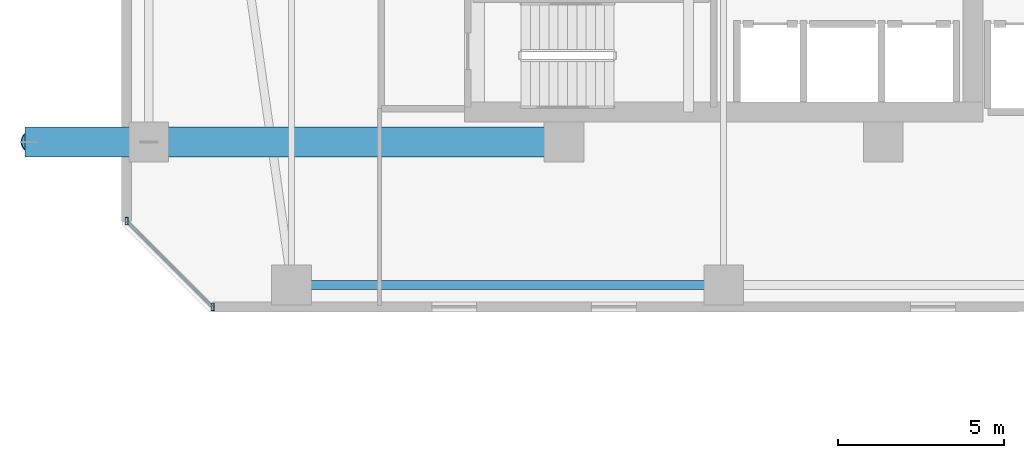
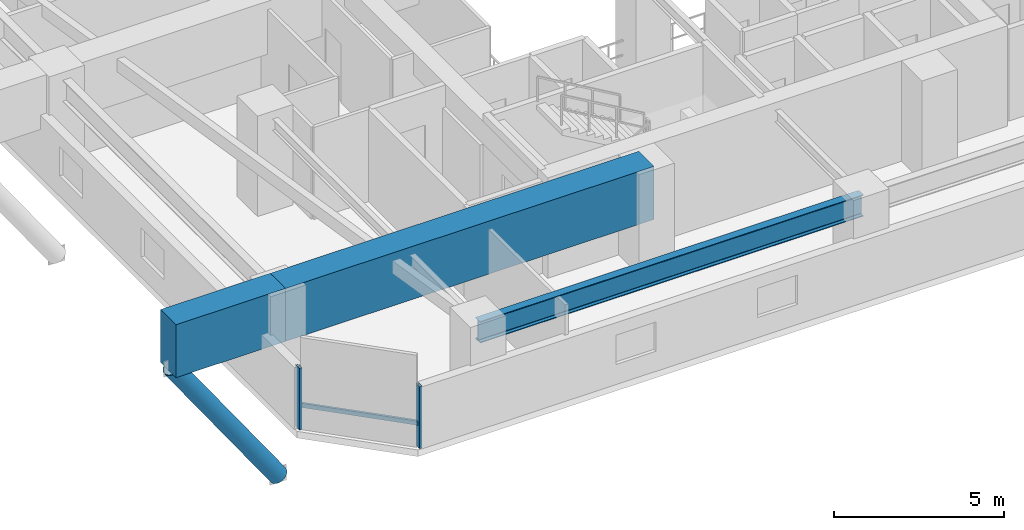
# One storey, part 3 of 36: 4 members, 3 beams, 1 element without a shape of its own.
"""IFC4 building model written with IfcOpenShell, lengths in metres."""

from ifc_helpers import new_model, si_unit, direction, frame, origin, origin_2d, place, context, subcontext, project, spatial, rectangle, hollow_rectangle, hollow_circle, i_section, extrude, material, material_profile, profile_set, type_object, element, aggregate, save


model = new_model("IFC4")

# Units and contexts
model_context = context("Model", 3, precision=1e-05, world=origin(), true_north=direction((0.0, 1.0)))
body_context = subcontext(model_context, "Body", "Model", "MODEL_VIEW")
ifc_project = project(units=[si_unit("LENGTHUNIT", "METRE"), si_unit("AREAUNIT", "SQUARE_METRE"), si_unit("VOLUMEUNIT", "CUBIC_METRE"), si_unit("PLANEANGLEUNIT", "RADIAN"), si_unit("MASSUNIT", "GRAM", prefix="KILO")], contexts=[model_context])

# Site, building, storey
site_placement = place(None, origin())
site = spatial("IfcSite", under=ifc_project, at=site_placement, CompositionType="ELEMENT")
building_placement = place(site_placement, origin())
building = spatial("IfcBuilding", under=site, at=building_placement, Name="Thornwick Lancets Civic Towers", CompositionType="ELEMENT")
storey_placement = place(building_placement, frame((0.0, 0.0, 94.5)))
storey = spatial("IfcBuildingStorey", under=building, at=storey_placement, Name="L24", CompositionType="ELEMENT", Elevation=94.5)

# Beams
ifc_material_1 = material(Name="Steel S355JR", Category="steel")
ifc_material_profile_1 = material_profile(ifc_material_1, i_section(OverallWidth=0.26806640625, OverallDepth=0.769775390625, WebThickness=0.015625, FlangeThickness=0.025390625, FilletRadius=0.0166015625, at=origin_2d()), Name="UKB 762x267x197")
ifc_profile_set_1 = profile_set([ifc_material_profile_1], Name="Steel S355JR")
beam_type_1 = type_object("IfcBeamType", Name="BM_GIRD_762_197", PredefinedType="BEAM", material=ifc_profile_set_1)
beam_1_placement = place(storey_placement, frame((12.5, 9.699951171875, 2.93505859375), z_axis=(1.0, 0.0, 0.0), x_axis=(0.0, 1.0, 0.0)))
element("IfcBeam", 1, at=beam_1_placement, inside=storey, type_object=beam_type_1, Name="BM-SPINE-L24-A-0-1", PredefinedType="BEAM", context=body_context, shape_type="SweptSolid", body=[
    extrude(i_section(OverallWidth=0.26806640625, OverallDepth=0.769775390625, WebThickness=0.015625, FlangeThickness=0.025390625, FilletRadius=0.0166015625, at=origin_2d()), origin(), (0.0, 0.0, 1.0), 13.0),
])
ifc_material_2 = material(Name="Concrete C60/75", Category="concrete")
ifc_material_profile_2 = material_profile(ifc_material_2, rectangle(XDim=0.89990234375, YDim=1.89990234375, at=origin_2d()), Name="RC 900x1900")
ifc_profile_set_2 = profile_set([ifc_material_profile_2], Name="Concrete C60/75")
beam_type_2 = type_object("IfcBeamType", Name="BM_TR_RC1900", PredefinedType="BEAM", material=ifc_profile_set_2)
beam_2_placement = place(storey_placement, frame((20.699951171875, 14.0, 2.64990234375), z_axis=(-1.0, 0.0, 0.0), x_axis=(0.0, -1.0, 0.0)))
element("IfcBeam", 2, at=beam_2_placement, inside=storey, type_object=beam_type_2, Name="TG-BACK-L25-A10", PredefinedType="BEAM", context=body_context, shape_type="SweptSolid", body=[
    extrude(rectangle(XDim=0.89990234375, YDim=1.89990234375, at=origin_2d()), origin(), (0.0, 0.0, 1.0), 12.5),
])
beam_3_placement = place(storey_placement, frame((8.199951171875, 14.0, 2.64990234375), z_axis=(-1.0, 0.0, 0.0), x_axis=(0.0, -1.0, 0.0)))
element("IfcBeam", 3, at=beam_3_placement, inside=storey, type_object=beam_type_2, Name="TG-CANT-L25-A10", PredefinedType="BEAM", context=body_context, shape_type="SweptSolid", body=[
    extrude(rectangle(XDim=0.89990234375, YDim=1.89990234375, at=origin_2d()), origin(), (0.0, 0.0, 1.0), 3.719970703125),
])

# Curtain wall, members
ifc_material_3 = material(Name="Low-zone chamfered-corner unitised glass curtain wall", Category="glass")
curtain_wall_type = type_object("IfcCurtainWallType", Name="CW_SYS_03", PredefinedType="NOTDEFINED", material=ifc_material_3)
curtain_wall_placement = place(storey_placement, origin())
curtain_wall = element("IfcCurtainWall", 4, at=curtain_wall_placement, inside=storey, type_object=curtain_wall_type, Name="L24 Curtain Wall CW-L24-A-E7", PredefinedType="NOTDEFINED")
ifc_material_4 = material(Name="Thermally broken bronze aluminium S355", Category="steel")
ifc_material_profile_3 = material_profile(ifc_material_4, hollow_rectangle(XDim=0.090087890625, YDim=0.219970703125, WallThickness=0.00634765625, at=origin_2d()), Name="RHS 220x90x6.3")
ifc_profile_set_3 = profile_set([ifc_material_profile_3], Name="Thermally broken bronze aluminium S355")
member_type_1 = type_object("IfcMemberType", Name="CW_MUL_220", PredefinedType="MULLION", material=ifc_profile_set_3)
member_1_placement = place(storey_placement, frame((7.535400390625, 11.61865234375, 0.0), z_axis=(0.0, 0.0, 1.0), x_axis=(1.0, 0.0, 0.0)))
member_1 = element("IfcMember", 5, at=member_1_placement, type_object=member_type_1, Name="CW-L24-A-E7 Mullion 0", PredefinedType="MULLION", context=body_context, shape_type="SweptSolid", body=[
    extrude(hollow_rectangle(XDim=0.090087890625, YDim=0.219970703125, WallThickness=0.00634765625, at=origin_2d()), origin(), (0.0, 0.0, 1.0), 2.219970703125),
])
member_2_placement = place(storey_placement, frame((10.11865234375, 9.035400390625, 0.0), z_axis=(0.0, 0.0, 1.0), x_axis=(1.0, 0.0, 0.0)))
member_2 = element("IfcMember", 6, at=member_2_placement, type_object=member_type_1, Name="CW-L24-A-E7 Mullion 1", PredefinedType="MULLION", context=body_context, shape_type="SweptSolid", body=[
    extrude(hollow_rectangle(XDim=0.090087890625, YDim=0.219970703125, WallThickness=0.00634765625, at=origin_2d()), origin(), (0.0, 0.0, 1.0), 2.219970703125),
])
ifc_material_profile_4 = material_profile(ifc_material_4, hollow_rectangle(XDim=0.074951171875, YDim=0.14990234375, WallThickness=0.0048828125, at=origin_2d()), Name="RHS 150x75x5")
ifc_profile_set_4 = profile_set([ifc_material_profile_4], Name="Thermally broken bronze aluminium S355")
member_type_2 = type_object("IfcMemberType", Name="CW_TRN_150", PredefinedType="USERDEFINED", material=ifc_profile_set_4)
member_3_placement = place(storey_placement, frame((7.54931640625, 11.6044921875, 0.85009765625), z_axis=(0.707106781187, -0.707106781187, 0.0), x_axis=(0.707106781187, 0.707106781187, 0.0)))
member_3 = element("IfcMember", 7, at=member_3_placement, type_object=member_type_2, Name="CW-L24-A-E7 Transom 0", ObjectType="TRANSOM", PredefinedType="USERDEFINED", context=body_context, shape_type="SweptSolid", body=[
    extrude(hollow_rectangle(XDim=0.074951171875, YDim=0.14990234375, WallThickness=0.0048828125, at=origin_2d()), origin(), (0.0, 0.0, 1.0), 3.613525390625),
])
aggregate(curtain_wall, [member_1, member_2, member_3])

# Member
ifc_material_5 = material(Name="Steel S460M", Category="steel")
ifc_material_profile_5 = material_profile(ifc_material_5, hollow_circle(Radius=0.304931640625, WallThickness=0.030029296875, at=origin_2d()), Name="CHS 610x30")
ifc_profile_set_5 = profile_set([ifc_material_profile_5], Name="Steel S460M")
member_type_3 = type_object("IfcMemberType", Name="MEM_STRUT_CHS610", PredefinedType="STRUT", material=ifc_profile_set_5)
member_4_placement = place(storey_placement, frame((8.199951171875, 14.0, -3.35009765625), z_axis=(-0.574400563042, 0.0, 0.818574366308), x_axis=(0.0, -1.0, 0.0)))
element("IfcMember", 8, at=member_4_placement, inside=storey, type_object=member_type_3, Name="L25 Jenga Transfer Raking Strut A10", PredefinedType="STRUT", context=body_context, shape_type="SweptSolid", body=[
    extrude(hollow_circle(Radius=0.304931640625, WallThickness=0.030029296875, at=origin_2d()), origin(), (0.0, 0.0, 1.0), 6.26708984375),
])

save(model, "model.ifc")
